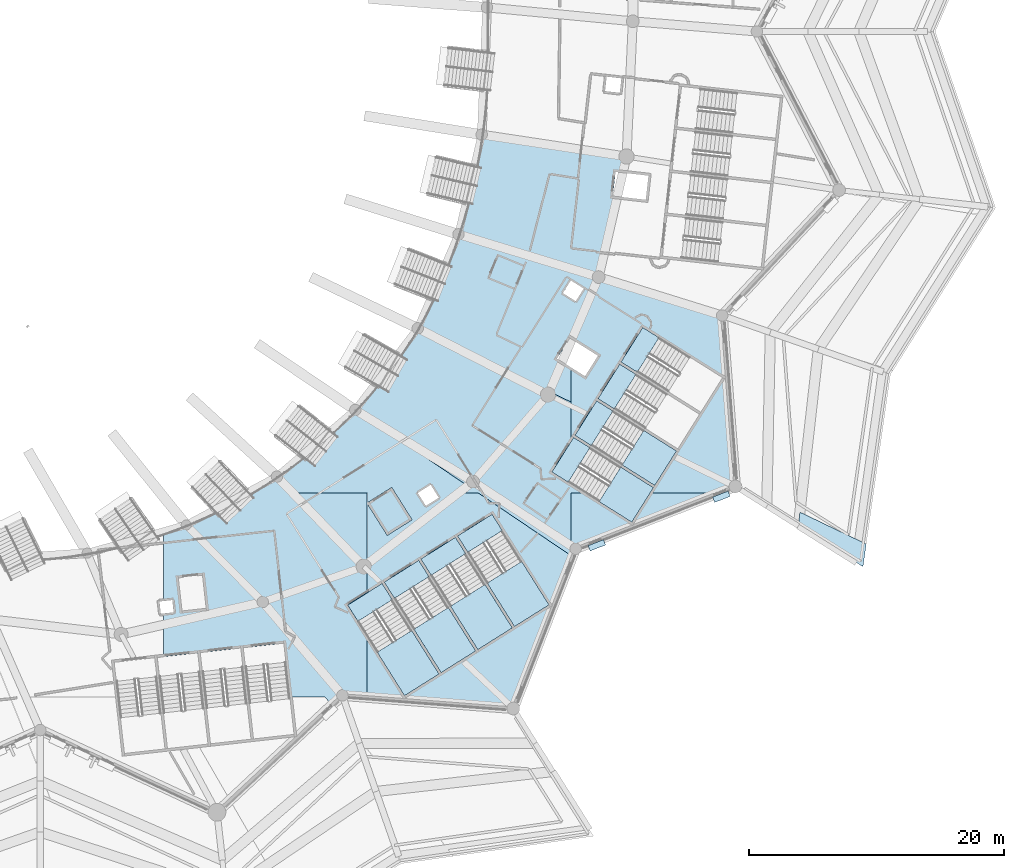
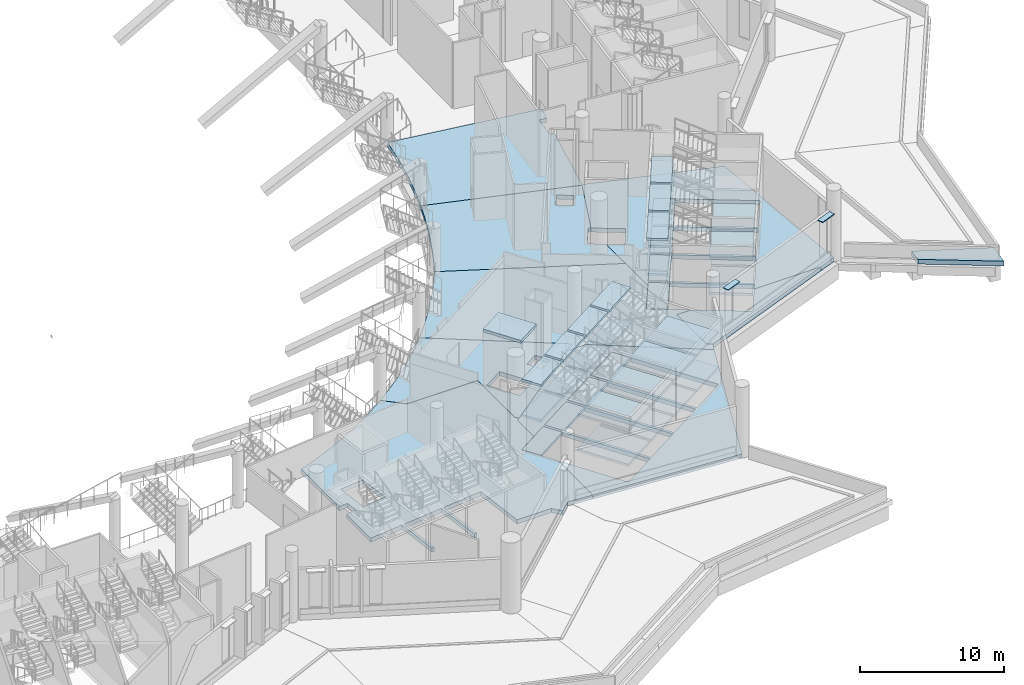
# One storey, part 29 of 173: 45 slabs, 2 plates, 8 elements without a shape of their own.
"""IFC4 building model written with IfcOpenShell, lengths in metres."""

from ifc_helpers import new_model, si_unit, direction, frame, origin, origin_2d, place, context, subcontext, project, spatial, polyline, rectangle, outline, extrude, material, layer, layer_set, type_object, element, aggregate, save


model = new_model("IFC4")

# Units and contexts
model_context = context("Model", 3, precision=1e-05, world=origin(), true_north=direction((0.0, 1.0)))
body_context = subcontext(model_context, "Body", "Model", "MODEL_VIEW")
ifc_project = project(units=[si_unit("LENGTHUNIT", "METRE"), si_unit("AREAUNIT", "SQUARE_METRE"), si_unit("VOLUMEUNIT", "CUBIC_METRE"), si_unit("PLANEANGLEUNIT", "RADIAN"), si_unit("MASSUNIT", "GRAM", prefix="KILO")], contexts=[model_context])

# Site, building, storey
site_placement = place(None, origin())
site = spatial("IfcSite", under=ifc_project, at=site_placement, CompositionType="ELEMENT")
building_placement = place(site_placement, origin())
building = spatial("IfcBuilding", under=site, at=building_placement, Name="Meseta Stadium", CompositionType="ELEMENT")
storey_placement = place(building_placement, frame((0.0, 0.0, 18.0)))
storey = spatial("IfcBuildingStorey", under=building, at=storey_placement, Name="L03", CompositionType="ELEMENT", Elevation=18.0)

# Slabs
ifc_material_1 = material(Name="Concrete C40/50", Category="concrete")
ifc_layer_1 = layer(ifc_material_1, 0.25)
ifc_layer_set_1 = layer_set([ifc_layer_1], Name="Core roof slab 250")
slab_type_1 = type_object("IfcSlabType", Name="Core roof slab 250", PredefinedType="ROOF", material=ifc_layer_set_1)
slab_1_placement = place(storey_placement, frame((0.0, 0.0, 4.60009765625)))
element("IfcSlab", 1, at=slab_1_placement, inside=storey, type_object=slab_type_1, Name="Core 27 lift overrun roof", PredefinedType="ROOF", context=body_context, shape_type="SweptSolid", body=[
    extrude(outline(polyline([(65.57421875, -83.313720703125), (63.97802734375, -80.773681640625), (65.925537109375, -79.5498046875), (67.521728515625, -82.090087890625), (65.57421875, -83.313720703125)])), origin(), (0.0, 0.0, 1.0), 0.25),
])
ifc_material_2 = material(Name="Concrete C40/50", Category="concrete")
ifc_layer_2 = layer(ifc_material_2, 0.35009765625)
ifc_layer_set_2 = layer_set([ifc_layer_2], Name="Floor slab 350")
slab_type_2 = type_object("IfcSlabType", Name="Floor slab 350", PredefinedType="FLOOR", material=ifc_layer_set_2)
slab_2_placement = place(storey_placement, frame((0.0, 0.0, -0.35009765625)))
element("IfcSlab", 2, at=slab_2_placement, inside=storey, type_object=slab_type_2, Name="Floor slab L03 sector 49 panel 04", PredefinedType="FLOOR", context=body_context, shape_type="SweptSolid", body=[
    extrude(outline(polyline([(62.051513671875, -95.872802734375), (64.0, -96.023193359375), (64.0, -91.239990234375), (62.45947265625, -88.788330078125), (64.0, -87.8203125), (64.0, -85.5615234375), (64.224365234375, -85.386962890625), (64.0, -85.181396484375), (64.0, -80.0), (58.33984375, -80.0), (56.9150390625, -78.69580078125), (55.786865234375, -79.433837890625), (54.63330078125, -80.13134765625), (53.455322265625, -80.78759765625), (52.254638671875, -81.401123046875), (51.03271484375, -81.971923828125), (49.791015625, -82.498779296875), (48.531494140625, -82.981201171875), (48.0, -83.163330078125), (48.0, -88.452880859375), (48.71337890625, -88.37255859375), (48.825439453125, -89.3662109375), (48.0, -89.459228515625), (48.0, -92.845458984375), (50.692626953125, -92.5419921875), (51.082275390625, -96.0), (51.28369140625, -96.0), (50.8916015625, -92.519775390625), (54.0712890625, -92.161376953125), (54.50390625, -96.0), (54.705078125, -96.0), (54.27001953125, -92.138916015625), (57.449951171875, -91.78076171875), (57.92529296875, -96.0), (60.687255859375, -96.0), (61.21435546875, -96.653076171875), (62.051513671875, -95.872802734375)]), holes=[polyline([(49.174560546875, -86.66015625), (51.0625, -86.447265625), (51.353759765625, -89.031005859375), (49.4658203125, -89.24365234375), (49.174560546875, -86.66015625)])]), origin(), (0.0, 0.0, 1.0), 0.35009765625),
])
slab_3_placement = place(storey_placement, frame((0.0, 0.0, -0.35009765625)))
element("IfcSlab", 3, at=slab_3_placement, inside=storey, type_object=slab_type_2, Name="Floor slab L03 sector 49 panel 05", PredefinedType="FLOOR", context=body_context, shape_type="SweptSolid", body=[
    extrude(outline(polyline([(58.01611328125, -77.91796875), (56.925048828125, -78.688720703125), (58.344482421875, -79.988037109375), (64.0, -79.988037109375), (64.001220703125, -79.988037109375), (64.002197265625, -79.98828125), (64.00341796875, -79.988525390625), (64.004638671875, -79.989013671875), (64.005615234375, -79.989501953125), (64.006591796875, -79.989990234375), (64.007568359375, -79.99072265625), (64.008544921875, -79.991455078125), (64.00927734375, -79.992431640625), (64.010009765625, -79.993408203125), (64.010498046875, -79.994384765625), (64.010986328125, -79.995361328125), (64.011474609375, -79.99658203125), (64.01171875, -79.997802734375), (64.011962890625, -79.998779296875), (64.011962890625, -80.0), (64.011962890625, -85.17626953125), (64.232421875, -85.3779296875), (64.2333984375, -85.37890625), (64.23388671875, -85.37939453125), (71.885986328125, -79.422607421875), (63.068115234375, -73.469970703125), (62.12255859375, -74.430419921875), (61.143310546875, -75.3564453125), (60.131591796875, -76.247314453125), (59.088623046875, -77.101318359375), (58.01611328125, -77.91796875)]), holes=[polyline([(68.605712890625, -80.99560546875), (67.967041015625, -79.9794921875), (68.983154296875, -79.341064453125), (69.62158203125, -80.357177734375), (68.605712890625, -80.99560546875)]), polyline([(65.63720703125, -83.0380859375), (64.25390625, -80.83642578125), (65.86279296875, -79.82568359375), (67.245849609375, -82.027099609375), (65.63720703125, -83.0380859375)])]), origin(), (0.0, 0.0, 1.0), 0.35009765625),
])
slab_4_placement = place(storey_placement, frame((0.0, 0.0, -0.35009765625)))
element("IfcSlab", 4, at=slab_4_placement, inside=storey, type_object=slab_type_2, Name="Floor slab L03 sector 49 panel 06", PredefinedType="FLOOR", context=body_context, shape_type="SweptSolid", body=[
    extrude(outline(polyline([(64.0, -91.239990234375), (64.0, -96.023193359375), (75.474609375, -96.908447265625), (75.825927734375, -96.00732421875), (75.818115234375, -96.0), (75.828857421875, -96.0), (80.124267578125, -84.98388671875), (72.741455078125, -80.0), (71.144287109375, -80.0), (64.0, -85.5615234375), (64.0, -87.8203125), (65.1689453125, -87.085693359375), (69.63818359375, -94.1982421875), (66.9287109375, -95.90087890625), (64.0, -91.239990234375)]), holes=[polyline([(65.33837890625, -86.9794921875), (68.0478515625, -85.27685546875), (72.516845703125, -92.389404296875), (69.807373046875, -94.091796875), (65.33837890625, -86.9794921875)]), polyline([(68.21728515625, -85.17041015625), (70.9267578125, -83.468017578125), (75.395751953125, -90.58056640625), (72.686279296875, -92.282958984375), (68.21728515625, -85.17041015625)]), polyline([(71.09619140625, -83.361572265625), (73.8056640625, -81.6591796875), (78.274658203125, -88.771484375), (75.565185546875, -90.47412109375), (71.09619140625, -83.361572265625)])]), origin(), (0.0, 0.0, 1.0), 0.35009765625),
])
slab_5_placement = place(storey_placement, frame((0.0, 0.0, -0.35009765625)))
element("IfcSlab", 5, at=slab_5_placement, inside=storey, type_object=slab_type_2, Name="Floor slab L03 sector 49 panel 07", PredefinedType="FLOOR", context=body_context, shape_type="SweptSolid", body=[
    extrude(outline(polyline([(63.068115234375, -73.469970703125), (63.068603515625, -73.47021484375), (71.885986328125, -79.422607421875), (71.144287109375, -80.0), (72.741455078125, -80.0), (80.124267578125, -84.98388671875), (80.365478515625, -84.365478515625), (80.0, -84.126220703125), (80.0, -80.0), (81.151611328125, -80.0), (78.505859375, -78.337646484375), (80.0, -75.959716796875), (80.0, -72.84228515625), (67.972412109375, -67.057861328125), (67.251953125, -68.197021484375), (66.491455078125, -69.31005859375), (65.69189453125, -70.39501953125), (64.85400390625, -71.450927734375), (63.97900390625, -72.476318359375), (63.068115234375, -73.469970703125)])), origin(), (0.0, 0.0, 1.0), 0.35009765625),
])
slab_6_placement = place(storey_placement, frame((0.0, 0.0, -0.35009765625)))
element("IfcSlab", 6, at=slab_6_placement, inside=storey, type_object=slab_type_2, Name="Floor slab L03 sector 49 panel 08", PredefinedType="FLOOR", context=body_context, shape_type="SweptSolid", body=[
    extrude(outline(polyline([(79.914306640625, -67.82568359375), (80.06787109375, -67.922119140625), (82.13427734375, -63.114990234375), (71.169677734375, -59.67724609375), (70.73193359375, -60.945556640625), (70.2568359375, -62.20068359375), (69.74462890625, -63.441162109375), (69.19580078125, -64.66650390625), (68.610595703125, -65.875), (67.972412109375, -67.057861328125), (80.0, -72.84228515625), (80.0, -70.12353515625), (78.903564453125, -69.4345703125), (79.914306640625, -67.82568359375)]), holes=[polyline([(81.015625, -63.91162109375), (80.377197265625, -64.927734375), (79.361083984375, -64.289306640625), (80.0, -63.273681640625), (81.015625, -63.91162109375)])]), origin(), (0.0, 0.0, 1.0), 0.35009765625),
])
slab_7_placement = place(storey_placement, frame((0.0, 0.0, -0.35009765625)))
element("IfcSlab", 7, at=slab_7_placement, inside=storey, type_object=slab_type_2, Name="Floor slab L03 sector 49 panel 09", PredefinedType="FLOOR", context=body_context, shape_type="SweptSolid", body=[
    extrude(outline(polyline([(72.99072265625, -51.857177734375), (72.785400390625, -53.1728515625), (72.539794921875, -54.491943359375), (72.2548828125, -55.802978515625), (71.931396484375, -57.104736328125), (71.569580078125, -58.396484375), (71.169677734375, -59.67724609375), (82.13427734375, -63.114990234375), (82.169189453125, -63.03369140625), (83.635498046875, -56.7060546875), (83.2880859375, -56.6669921875), (83.500732421875, -54.77880859375), (84.0673828125, -54.842529296875), (84.335693359375, -53.684326171875), (72.99072265625, -51.857177734375)])), origin(), (0.0, 0.0, 1.0), 0.35009765625),
])
slab_8_placement = place(storey_placement, frame((0.0, 0.0, -0.35009765625)))
element("IfcSlab", 8, at=slab_8_placement, inside=storey, type_object=slab_type_2, Name="Floor slab L03 sector 49 panel 10", PredefinedType="FLOOR", context=body_context, shape_type="SweptSolid", body=[
    extrude(outline(polyline([(80.0, -80.0), (80.0, -84.126220703125), (80.365478515625, -84.365478515625), (91.56103515625, -80.0), (86.20068359375, -80.0), (84.771484375, -82.274658203125), (81.151611328125, -80.0), (80.0, -80.0)])), origin(), (0.0, 0.0, 1.0), 0.35009765625),
])
slab_9_placement = place(storey_placement, frame((0.0, 0.0, -0.35009765625)))
element("IfcSlab", 9, at=slab_9_placement, inside=storey, type_object=slab_type_2, Name="Floor slab L03 sector 49 panel 11", PredefinedType="FLOOR", context=body_context, shape_type="SweptSolid", body=[
    extrude(outline(polyline([(81.10498046875, -70.81787109375), (80.0, -70.12353515625), (80.0, -75.959716796875), (80.208251953125, -75.628173828125), (86.47412109375, -79.565185546875), (86.20068359375, -80.0), (91.56103515625, -80.0), (92.908447265625, -79.474609375), (91.872802734375, -66.051513671875), (82.169189453125, -63.03369140625), (80.06787109375, -67.922119140625), (82.11572265625, -69.208984375), (81.10498046875, -70.81787109375)]), holes=[polyline([(82.01708984375, -72.749267578125), (88.282958984375, -76.686279296875), (86.58056640625, -79.395751953125), (80.314697265625, -75.458740234375), (82.01708984375, -72.749267578125)]), polyline([(82.123779296875, -72.579833984375), (83.826171875, -69.870361328125), (90.091796875, -73.807373046875), (88.389404296875, -76.516845703125), (82.123779296875, -72.579833984375)]), polyline([(83.9326171875, -69.700927734375), (85.635009765625, -66.991455078125), (91.90087890625, -70.9287109375), (90.1982421875, -73.63818359375), (83.9326171875, -69.700927734375)])]), origin(), (0.0, 0.0, 1.0), 0.35009765625),
])

# Plates
ifc_material_3 = material(Name="White precast concrete C40/50", Category="concrete")
ifc_layer_3 = layer(ifc_material_3, 0.080078125)
ifc_layer_set_3 = layer_set([ifc_layer_3], Name="Louvre hood 1300x450")
plate_type = type_object("IfcPlateType", Name="Louvre hood 1300x450", PredefinedType="USERDEFINED", material=ifc_layer_set_3)
for number, where, z_axis, x_axis, name in (
    (10, (82.02978515625, -84.092041015625, 4.25), (0.0, 0.0, 1.0), (0.931679912901, 0.363280249803, 0.0), "Louvre hood L03 F53"),
    (11, (91.8125, -80.277587890625, 4.25), (0.0, 0.0, 1.0), (0.931679912901, 0.363280249803, 0.0), "Louvre hood L03 F53"),
):
    element("IfcPlate", number, at=place(storey_placement, frame(where, z_axis=z_axis, x_axis=x_axis)), inside=storey, type_object=plate_type, Name=name, ObjectType="LOUVRE", PredefinedType="USERDEFINED", context=body_context, shape_type="SweptSolid", body=[
        extrude(rectangle(XDim=1.300048828125, YDim=0.449951171875, at=origin_2d()), origin(), (0.0, 0.0, 1.0), 0.080078125),
    ])

# Slab
ifc_material_4 = material(Name="Concrete C40/50", Category="concrete")
ifc_layer_4 = layer(ifc_material_4, 0.39990234375)
ifc_layer_set_4 = layer_set([ifc_layer_4], Name="Roof garden slab 400")
slab_type_3 = type_object("IfcSlabType", Name="Roof garden slab 400", PredefinedType="ROOF", material=ifc_layer_set_4)
slab_10_placement = place(storey_placement, frame((0.0, 0.0, -0.39990234375)))
element("IfcSlab", 12, at=slab_10_placement, inside=storey, type_object=slab_type_3, Name="Roof garden slab 8 part 1 panel 03", PredefinedType="ROOF", context=body_context, shape_type="SweptSolid", body=[
    extrude(outline(polyline([(103.186279296875, -83.992919921875), (97.9755859375, -81.487060546875), (97.851806640625, -82.580810546875), (102.93212890625, -85.77294921875), (103.186279296875, -83.992919921875)])), origin(), (0.0, 0.0, 1.0), 0.39990234375),
])

# Stair, slabs
ifc_material_5 = material(Name="Concrete C40/50", Category="concrete")
stair_type = type_object("IfcStairType", Name="Exit stair 4 flights 150 mm risers", PredefinedType="HALF_TURN_STAIR", material=ifc_material_5)
stair_1_placement = place(storey_placement, origin())
stair_1 = element("IfcStair", 13, at=stair_1_placement, inside=storey, type_object=stair_type, Name="ST105 L03", PredefinedType="HALF_TURN_STAIR")
ifc_material_6 = material(Name="Concrete C40/50", Category="concrete")
ifc_layer_5 = layer(ifc_material_6, 0.199951171875)
ifc_layer_set_5 = layer_set([ifc_layer_5], Name="Stair landing 200")
slab_type_4 = type_object("IfcSlabType", Name="Stair landing 200", PredefinedType="LANDING", material=ifc_layer_set_5)
slab_11_placement = place(storey_placement, frame((0.0, 0.0, 1.300048828125)))
slab_11 = element("IfcSlab", 14, at=slab_11_placement, type_object=slab_type_4, Name="ST105 L03 landing 1", PredefinedType="LANDING", context=body_context, shape_type="SweptSolid", body=[
    extrude(outline(polyline([(64.784423828125, -92.488525390625), (66.928466796875, -95.90087890625), (69.63818359375, -94.1982421875), (67.493896484375, -90.7861328125), (64.784423828125, -92.488525390625)])), origin(), (0.0, 0.0, 1.0), 0.199951171875),
])
slab_12_placement = place(storey_placement, frame((0.0, 0.0, 2.800048828125)))
slab_12 = element("IfcSlab", 15, at=slab_12_placement, type_object=slab_type_4, Name="ST105 L03 landing 2", PredefinedType="LANDING", context=body_context, shape_type="SweptSolid", body=[
    extrude(outline(polyline([(62.45947265625, -88.788330078125), (63.262939453125, -90.06689453125), (65.972412109375, -88.364501953125), (65.1689453125, -87.0859375), (62.45947265625, -88.788330078125)])), origin(), (0.0, 0.0, 1.0), 0.199951171875),
])
slab_13_placement = place(storey_placement, frame((0.0, 0.0, 4.300048828125)))
slab_13 = element("IfcSlab", 16, at=slab_13_placement, type_object=slab_type_4, Name="ST105 L03 landing 3", PredefinedType="LANDING", context=body_context, shape_type="SweptSolid", body=[
    extrude(outline(polyline([(64.784423828125, -92.488525390625), (66.928466796875, -95.90087890625), (69.63818359375, -94.1982421875), (67.493896484375, -90.7861328125), (64.784423828125, -92.488525390625)])), origin(), (0.0, 0.0, 1.0), 0.199951171875),
])
slab_14_placement = place(storey_placement, frame((0.0, 0.0, -0.199951171875)))
slab_14 = element("IfcSlab", 17, at=slab_14_placement, type_object=slab_type_4, Name="ST105 L03 landing 4", PredefinedType="LANDING", context=body_context, shape_type="SweptSolid", body=[
    extrude(outline(polyline([(65.1689453125, -87.085693359375), (64.011962890625, -87.812744140625), (64.011962890625, -87.8203125), (64.011962890625, -87.821533203125), (64.01171875, -87.82275390625), (64.011474609375, -87.823974609375), (64.010986328125, -87.824951171875), (64.010498046875, -87.826171875), (64.010009765625, -87.8271484375), (64.009033203125, -87.828125), (64.00830078125, -87.8291015625), (64.00732421875, -87.829833984375), (64.00634765625, -87.83056640625), (62.47607421875, -88.7919921875), (63.27294921875, -90.060546875), (65.972412109375, -88.364501953125), (65.1689453125, -87.085693359375)])), origin(), (0.0, 0.0, 1.0), 0.199951171875),
])
slab_15_placement = place(storey_placement, frame((0.0, 0.0, 5.800048828125)))
slab_15 = element("IfcSlab", 18, at=slab_15_placement, type_object=slab_type_4, Name="ST105 L03 landing 5", PredefinedType="LANDING", context=body_context, shape_type="SweptSolid", body=[
    extrude(outline(polyline([(62.45947265625, -88.788330078125), (63.262939453125, -90.06689453125), (65.972412109375, -88.364501953125), (65.1689453125, -87.0859375), (62.45947265625, -88.788330078125)])), origin(), (0.0, 0.0, 1.0), 0.199951171875),
])
aggregate(stair_1, [slab_11, slab_12, slab_13, slab_14, slab_15])

stair_2_placement = place(storey_placement, origin())
stair_2 = element("IfcStair", 19, at=stair_2_placement, inside=storey, type_object=stair_type, Name="ST106 L03", PredefinedType="HALF_TURN_STAIR")
slab_16_placement = place(storey_placement, frame((0.0, 0.0, 1.300048828125)))
slab_16 = element("IfcSlab", 20, at=slab_16_placement, type_object=slab_type_4, Name="ST106 L03 landing 1", PredefinedType="LANDING", context=body_context, shape_type="SweptSolid", body=[
    extrude(outline(polyline([(67.663330078125, -90.6796875), (69.807373046875, -94.091796875), (72.516845703125, -92.389404296875), (70.372802734375, -88.97705078125), (67.663330078125, -90.6796875)])), origin(), (0.0, 0.0, 1.0), 0.199951171875),
])
slab_17_placement = place(storey_placement, frame((0.0, 0.0, 2.800048828125)))
slab_17 = element("IfcSlab", 21, at=slab_17_placement, type_object=slab_type_4, Name="ST106 L03 landing 2", PredefinedType="LANDING", context=body_context, shape_type="SweptSolid", body=[
    extrude(outline(polyline([(65.33837890625, -86.9794921875), (66.1416015625, -88.258056640625), (68.851318359375, -86.555419921875), (68.0478515625, -85.27685546875), (65.33837890625, -86.9794921875)])), origin(), (0.0, 0.0, 1.0), 0.199951171875),
])
slab_18_placement = place(storey_placement, frame((0.0, 0.0, 4.300048828125)))
slab_18 = element("IfcSlab", 22, at=slab_18_placement, type_object=slab_type_4, Name="ST106 L03 landing 3", PredefinedType="LANDING", context=body_context, shape_type="SweptSolid", body=[
    extrude(outline(polyline([(67.663330078125, -90.6796875), (69.807373046875, -94.091796875), (72.516845703125, -92.389404296875), (70.372802734375, -88.97705078125), (67.663330078125, -90.6796875)])), origin(), (0.0, 0.0, 1.0), 0.199951171875),
])
slab_19_placement = place(storey_placement, frame((0.0, 0.0, -0.199951171875)))
slab_19 = element("IfcSlab", 23, at=slab_19_placement, type_object=slab_type_4, Name="ST106 L03 landing 4", PredefinedType="LANDING", context=body_context, shape_type="SweptSolid", body=[
    extrude(outline(polyline([(65.33837890625, -86.9794921875), (66.1416015625, -88.258056640625), (68.851318359375, -86.555419921875), (68.0478515625, -85.27685546875), (65.33837890625, -86.9794921875)])), origin(), (0.0, 0.0, 1.0), 0.199951171875),
])
slab_20_placement = place(storey_placement, frame((0.0, 0.0, 5.800048828125)))
slab_20 = element("IfcSlab", 24, at=slab_20_placement, type_object=slab_type_4, Name="ST106 L03 landing 5", PredefinedType="LANDING", context=body_context, shape_type="SweptSolid", body=[
    extrude(outline(polyline([(65.33837890625, -86.9794921875), (66.1416015625, -88.258056640625), (68.851318359375, -86.555419921875), (68.0478515625, -85.27685546875), (65.33837890625, -86.9794921875)])), origin(), (0.0, 0.0, 1.0), 0.199951171875),
])
aggregate(stair_2, [slab_16, slab_17, slab_18, slab_19, slab_20])

stair_3_placement = place(storey_placement, origin())
stair_3 = element("IfcStair", 25, at=stair_3_placement, inside=storey, type_object=stair_type, Name="ST107 L03", PredefinedType="HALF_TURN_STAIR")
slab_21_placement = place(storey_placement, frame((0.0, 0.0, 1.300048828125)))
slab_21 = element("IfcSlab", 26, at=slab_21_placement, type_object=slab_type_4, Name="ST107 L03 landing 1", PredefinedType="LANDING", context=body_context, shape_type="SweptSolid", body=[
    extrude(outline(polyline([(70.542236328125, -88.87060546875), (72.686279296875, -92.282958984375), (75.395751953125, -90.58056640625), (73.251708984375, -87.168212890625), (70.542236328125, -88.87060546875)])), origin(), (0.0, 0.0, 1.0), 0.199951171875),
])
slab_22_placement = place(storey_placement, frame((0.0, 0.0, 2.800048828125)))
slab_22 = element("IfcSlab", 27, at=slab_22_placement, type_object=slab_type_4, Name="ST107 L03 landing 2", PredefinedType="LANDING", context=body_context, shape_type="SweptSolid", body=[
    extrude(outline(polyline([(68.21728515625, -85.17041015625), (69.0205078125, -86.448974609375), (71.72998046875, -84.74658203125), (70.9267578125, -83.468017578125), (68.21728515625, -85.17041015625)])), origin(), (0.0, 0.0, 1.0), 0.199951171875),
])
slab_23_placement = place(storey_placement, frame((0.0, 0.0, 4.300048828125)))
slab_23 = element("IfcSlab", 28, at=slab_23_placement, type_object=slab_type_4, Name="ST107 L03 landing 3", PredefinedType="LANDING", context=body_context, shape_type="SweptSolid", body=[
    extrude(outline(polyline([(70.542236328125, -88.87060546875), (72.686279296875, -92.282958984375), (75.395751953125, -90.58056640625), (73.251708984375, -87.168212890625), (70.542236328125, -88.87060546875)])), origin(), (0.0, 0.0, 1.0), 0.199951171875),
])
slab_24_placement = place(storey_placement, frame((0.0, 0.0, -0.199951171875)))
slab_24 = element("IfcSlab", 29, at=slab_24_placement, type_object=slab_type_4, Name="ST107 L03 landing 4", PredefinedType="LANDING", context=body_context, shape_type="SweptSolid", body=[
    extrude(outline(polyline([(68.21728515625, -85.17041015625), (69.0205078125, -86.448974609375), (71.72998046875, -84.74658203125), (70.9267578125, -83.468017578125), (68.21728515625, -85.17041015625)])), origin(), (0.0, 0.0, 1.0), 0.199951171875),
])
slab_25_placement = place(storey_placement, frame((0.0, 0.0, 5.800048828125)))
slab_25 = element("IfcSlab", 30, at=slab_25_placement, type_object=slab_type_4, Name="ST107 L03 landing 5", PredefinedType="LANDING", context=body_context, shape_type="SweptSolid", body=[
    extrude(outline(polyline([(68.21728515625, -85.17041015625), (69.0205078125, -86.448974609375), (71.72998046875, -84.74658203125), (70.9267578125, -83.468017578125), (68.21728515625, -85.17041015625)])), origin(), (0.0, 0.0, 1.0), 0.199951171875),
])
aggregate(stair_3, [slab_21, slab_22, slab_23, slab_24, slab_25])

stair_4_placement = place(storey_placement, origin())
stair_4 = element("IfcStair", 31, at=stair_4_placement, inside=storey, type_object=stair_type, Name="ST108 L03", PredefinedType="HALF_TURN_STAIR")
slab_26_placement = place(storey_placement, frame((0.0, 0.0, 1.300048828125)))
slab_26 = element("IfcSlab", 32, at=slab_26_placement, type_object=slab_type_4, Name="ST108 L03 landing 1", PredefinedType="LANDING", context=body_context, shape_type="SweptSolid", body=[
    extrude(outline(polyline([(73.421142578125, -87.061767578125), (75.565185546875, -90.47412109375), (78.274658203125, -88.771484375), (76.130615234375, -85.359375), (73.421142578125, -87.061767578125)])), origin(), (0.0, 0.0, 1.0), 0.199951171875),
])
slab_27_placement = place(storey_placement, frame((0.0, 0.0, 2.800048828125)))
slab_27 = element("IfcSlab", 33, at=slab_27_placement, type_object=slab_type_4, Name="ST108 L03 landing 2", PredefinedType="LANDING", context=body_context, shape_type="SweptSolid", body=[
    extrude(outline(polyline([(71.095947265625, -83.361572265625), (71.8994140625, -84.64013671875), (74.60888671875, -82.937744140625), (73.8056640625, -81.6591796875), (71.095947265625, -83.361572265625)])), origin(), (0.0, 0.0, 1.0), 0.199951171875),
])
slab_28_placement = place(storey_placement, frame((0.0, 0.0, 4.300048828125)))
slab_28 = element("IfcSlab", 34, at=slab_28_placement, type_object=slab_type_4, Name="ST108 L03 landing 3", PredefinedType="LANDING", context=body_context, shape_type="SweptSolid", body=[
    extrude(outline(polyline([(73.421142578125, -87.061767578125), (75.565185546875, -90.47412109375), (78.274658203125, -88.771484375), (76.130615234375, -85.359375), (73.421142578125, -87.061767578125)])), origin(), (0.0, 0.0, 1.0), 0.199951171875),
])
slab_29_placement = place(storey_placement, frame((0.0, 0.0, -0.199951171875)))
slab_29 = element("IfcSlab", 35, at=slab_29_placement, type_object=slab_type_4, Name="ST108 L03 landing 4", PredefinedType="LANDING", context=body_context, shape_type="SweptSolid", body=[
    extrude(outline(polyline([(71.095947265625, -83.361572265625), (71.8994140625, -84.64013671875), (74.60888671875, -82.937744140625), (73.8056640625, -81.6591796875), (71.095947265625, -83.361572265625)])), origin(), (0.0, 0.0, 1.0), 0.199951171875),
])
slab_30_placement = place(storey_placement, frame((0.0, 0.0, 5.800048828125)))
slab_30 = element("IfcSlab", 36, at=slab_30_placement, type_object=slab_type_4, Name="ST108 L03 landing 5", PredefinedType="LANDING", context=body_context, shape_type="SweptSolid", body=[
    extrude(outline(polyline([(71.095947265625, -83.361572265625), (71.8994140625, -84.64013671875), (74.60888671875, -82.937744140625), (73.8056640625, -81.6591796875), (71.095947265625, -83.361572265625)])), origin(), (0.0, 0.0, 1.0), 0.199951171875),
])
aggregate(stair_4, [slab_26, slab_27, slab_28, slab_29, slab_30])

stair_5_placement = place(storey_placement, origin())
stair_5 = element("IfcStair", 37, at=stair_5_placement, inside=storey, type_object=stair_type, Name="ST109 L03", PredefinedType="HALF_TURN_STAIR")
slab_31_placement = place(storey_placement, frame((0.0, 0.0, 1.300048828125)))
slab_31 = element("IfcSlab", 38, at=slab_31_placement, type_object=slab_type_4, Name="ST109 L03 landing 1", PredefinedType="LANDING", context=body_context, shape_type="SweptSolid", body=[
    extrude(outline(polyline([(82.2060546875, -80.66259765625), (84.771484375, -82.274658203125), (86.47412109375, -79.565185546875), (83.908447265625, -77.953125), (82.2060546875, -80.66259765625)])), origin(), (0.0, 0.0, 1.0), 0.199951171875),
])
slab_32_placement = place(storey_placement, frame((0.0, 0.0, 2.800048828125)))
slab_32 = element("IfcSlab", 39, at=slab_32_placement, type_object=slab_type_4, Name="ST109 L03 landing 2", PredefinedType="LANDING", context=body_context, shape_type="SweptSolid", body=[
    extrude(outline(polyline([(78.505859375, -78.337646484375), (79.784423828125, -79.140869140625), (81.48681640625, -76.431396484375), (80.208251953125, -75.628173828125), (78.505859375, -78.337646484375)])), origin(), (0.0, 0.0, 1.0), 0.199951171875),
])
slab_33_placement = place(storey_placement, frame((0.0, 0.0, 4.300048828125)))
slab_33 = element("IfcSlab", 40, at=slab_33_placement, type_object=slab_type_4, Name="ST109 L03 landing 3", PredefinedType="LANDING", context=body_context, shape_type="SweptSolid", body=[
    extrude(outline(polyline([(82.2060546875, -80.66259765625), (84.771484375, -82.274658203125), (86.47412109375, -79.565185546875), (83.908447265625, -77.953125), (82.2060546875, -80.66259765625)])), origin(), (0.0, 0.0, 1.0), 0.199951171875),
])
slab_34_placement = place(storey_placement, frame((0.0, 0.0, -0.199951171875)))
slab_34 = element("IfcSlab", 41, at=slab_34_placement, type_object=slab_type_4, Name="ST109 L03 landing 4", PredefinedType="LANDING", context=body_context, shape_type="SweptSolid", body=[
    extrude(outline(polyline([(78.505859375, -78.337646484375), (79.784423828125, -79.140869140625), (81.48681640625, -76.431396484375), (80.208251953125, -75.628173828125), (78.505859375, -78.337646484375)])), origin(), (0.0, 0.0, 1.0), 0.199951171875),
])
slab_35_placement = place(storey_placement, frame((0.0, 0.0, 5.800048828125)))
slab_35 = element("IfcSlab", 42, at=slab_35_placement, type_object=slab_type_4, Name="ST109 L03 landing 5", PredefinedType="LANDING", context=body_context, shape_type="SweptSolid", body=[
    extrude(outline(polyline([(78.505859375, -78.337646484375), (79.784423828125, -79.140869140625), (81.48681640625, -76.431396484375), (80.208251953125, -75.628173828125), (78.505859375, -78.337646484375)])), origin(), (0.0, 0.0, 1.0), 0.199951171875),
])
aggregate(stair_5, [slab_31, slab_32, slab_33, slab_34, slab_35])

stair_6_placement = place(storey_placement, origin())
stair_6 = element("IfcStair", 43, at=stair_6_placement, inside=storey, type_object=stair_type, Name="ST110 L03", PredefinedType="HALF_TURN_STAIR")
slab_36_placement = place(storey_placement, frame((0.0, 0.0, 1.300048828125)))
slab_36 = element("IfcSlab", 44, at=slab_36_placement, type_object=slab_type_4, Name="ST110 L03 landing 1", PredefinedType="LANDING", context=body_context, shape_type="SweptSolid", body=[
    extrude(outline(polyline([(84.014892578125, -77.78369140625), (86.58056640625, -79.395751953125), (88.282958984375, -76.686279296875), (85.717529296875, -75.07421875), (84.014892578125, -77.78369140625)])), origin(), (0.0, 0.0, 1.0), 0.199951171875),
])
slab_37_placement = place(storey_placement, frame((0.0, 0.0, 2.800048828125)))
slab_37 = element("IfcSlab", 45, at=slab_37_placement, type_object=slab_type_4, Name="ST110 L03 landing 2", PredefinedType="LANDING", context=body_context, shape_type="SweptSolid", body=[
    extrude(outline(polyline([(80.314697265625, -75.458740234375), (81.59326171875, -76.26220703125), (83.2958984375, -73.552490234375), (82.017333984375, -72.749267578125), (80.314697265625, -75.458740234375)])), origin(), (0.0, 0.0, 1.0), 0.199951171875),
])
slab_38_placement = place(storey_placement, frame((0.0, 0.0, 4.300048828125)))
slab_38 = element("IfcSlab", 46, at=slab_38_placement, type_object=slab_type_4, Name="ST110 L03 landing 3", PredefinedType="LANDING", context=body_context, shape_type="SweptSolid", body=[
    extrude(outline(polyline([(84.014892578125, -77.78369140625), (86.58056640625, -79.395751953125), (88.282958984375, -76.686279296875), (85.717529296875, -75.07421875), (84.014892578125, -77.78369140625)])), origin(), (0.0, 0.0, 1.0), 0.199951171875),
])
slab_39_placement = place(storey_placement, frame((0.0, 0.0, -0.199951171875)))
slab_39 = element("IfcSlab", 47, at=slab_39_placement, type_object=slab_type_4, Name="ST110 L03 landing 4", PredefinedType="LANDING", context=body_context, shape_type="SweptSolid", body=[
    extrude(outline(polyline([(80.314697265625, -75.458740234375), (81.59326171875, -76.26220703125), (83.2958984375, -73.552490234375), (82.017333984375, -72.749267578125), (80.314697265625, -75.458740234375)])), origin(), (0.0, 0.0, 1.0), 0.199951171875),
])
slab_40_placement = place(storey_placement, frame((0.0, 0.0, 5.800048828125)))
slab_40 = element("IfcSlab", 48, at=slab_40_placement, type_object=slab_type_4, Name="ST110 L03 landing 5", PredefinedType="LANDING", context=body_context, shape_type="SweptSolid", body=[
    extrude(outline(polyline([(80.314697265625, -75.458740234375), (81.59326171875, -76.26220703125), (83.2958984375, -73.552490234375), (82.017333984375, -72.749267578125), (80.314697265625, -75.458740234375)])), origin(), (0.0, 0.0, 1.0), 0.199951171875),
])
aggregate(stair_6, [slab_36, slab_37, slab_38, slab_39, slab_40])

stair_7_placement = place(storey_placement, origin())
stair_7 = element("IfcStair", 49, at=stair_7_placement, inside=storey, type_object=stair_type, Name="ST111 L03", PredefinedType="HALF_TURN_STAIR")
slab_41_placement = place(storey_placement, frame((0.0, 0.0, 2.800048828125)))
slab_41 = element("IfcSlab", 50, at=slab_41_placement, type_object=slab_type_4, Name="ST111 L03 landing 2", PredefinedType="LANDING", context=body_context, shape_type="SweptSolid", body=[
    extrude(outline(polyline([(82.12353515625, -72.579833984375), (83.402099609375, -73.38330078125), (85.104736328125, -70.673828125), (83.826171875, -69.870361328125), (82.12353515625, -72.579833984375)])), origin(), (0.0, 0.0, 1.0), 0.199951171875),
])
slab_42_placement = place(storey_placement, frame((0.0, 0.0, -0.199951171875)))
slab_42 = element("IfcSlab", 51, at=slab_42_placement, type_object=slab_type_4, Name="ST111 L03 landing 4", PredefinedType="LANDING", context=body_context, shape_type="SweptSolid", body=[
    extrude(outline(polyline([(82.12353515625, -72.579833984375), (83.402099609375, -73.38330078125), (85.104736328125, -70.673828125), (83.826171875, -69.870361328125), (82.12353515625, -72.579833984375)])), origin(), (0.0, 0.0, 1.0), 0.199951171875),
])
slab_43_placement = place(storey_placement, frame((0.0, 0.0, 5.800048828125)))
slab_43 = element("IfcSlab", 52, at=slab_43_placement, type_object=slab_type_4, Name="ST111 L03 landing 5", PredefinedType="LANDING", context=body_context, shape_type="SweptSolid", body=[
    extrude(outline(polyline([(82.12353515625, -72.579833984375), (83.402099609375, -73.38330078125), (85.104736328125, -70.673828125), (83.826171875, -69.870361328125), (82.12353515625, -72.579833984375)])), origin(), (0.0, 0.0, 1.0), 0.199951171875),
])
aggregate(stair_7, [slab_41, slab_42, slab_43])

stair_8_placement = place(storey_placement, origin())
stair_8 = element("IfcStair", 53, at=stair_8_placement, inside=storey, type_object=stair_type, Name="ST112 L03", PredefinedType="HALF_TURN_STAIR")
slab_44_placement = place(storey_placement, frame((0.0, 0.0, 2.800048828125)))
slab_44 = element("IfcSlab", 54, at=slab_44_placement, type_object=slab_type_4, Name="ST112 L03 landing 2", PredefinedType="LANDING", context=body_context, shape_type="SweptSolid", body=[
    extrude(outline(polyline([(83.9326171875, -69.700927734375), (85.211181640625, -70.50439453125), (86.91357421875, -67.794921875), (85.635009765625, -66.991455078125), (83.9326171875, -69.700927734375)])), origin(), (0.0, 0.0, 1.0), 0.199951171875),
])
slab_45_placement = place(storey_placement, frame((0.0, 0.0, -0.199951171875)))
slab_45 = element("IfcSlab", 55, at=slab_45_placement, type_object=slab_type_4, Name="ST112 L03 landing 4", PredefinedType="LANDING", context=body_context, shape_type="SweptSolid", body=[
    extrude(outline(polyline([(83.9326171875, -69.700927734375), (85.211181640625, -70.50439453125), (86.91357421875, -67.794921875), (85.635009765625, -66.991455078125), (83.9326171875, -69.700927734375)])), origin(), (0.0, 0.0, 1.0), 0.199951171875),
])
aggregate(stair_8, [slab_44, slab_45])

save(model, "model.ifc")
